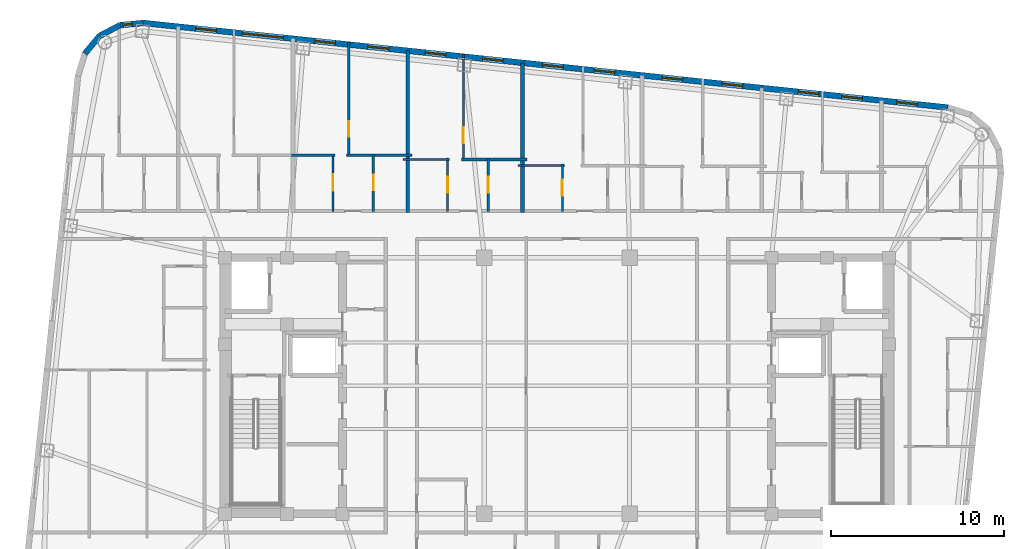
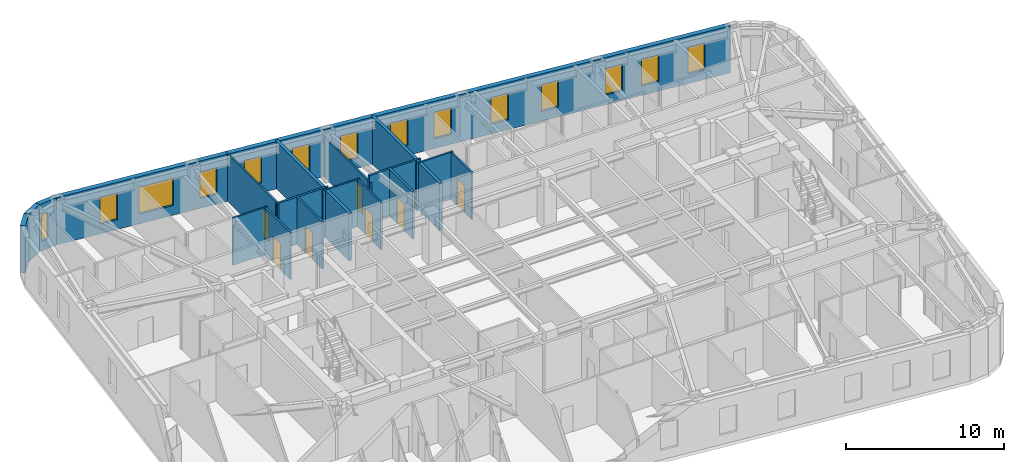
# One storey, part 8 of 11: 18 walls, 14 windows, 7 doors, 21 openings.
"""IFC4 building model written with IfcOpenShell, lengths in metres."""

from ifc_helpers import new_model, si_unit, direction, frame, frame_2d, origin, place, context, subcontext, project, spatial, rectangle, extrude, material, layer, layer_set, type_object, element, fill, save


model = new_model("IFC4")

# Units and contexts
model_context = context("Model", 3, precision=1e-05, world=origin(), true_north=direction((0.0, 1.0)))
body_context = subcontext(model_context, "Body", "Model", "MODEL_VIEW")
ifc_project = project(units=[si_unit("LENGTHUNIT", "METRE"), si_unit("AREAUNIT", "SQUARE_METRE"), si_unit("VOLUMEUNIT", "CUBIC_METRE"), si_unit("PLANEANGLEUNIT", "RADIAN"), si_unit("MASSUNIT", "GRAM", prefix="KILO")], contexts=[model_context])

# Site, building, storey
site_placement = place(None, origin())
site = spatial("IfcSite", under=ifc_project, at=site_placement, CompositionType="ELEMENT")
building_placement = place(site_placement, origin())
building = spatial("IfcBuilding", under=site, at=building_placement, Name="Voryun Gate Residences", CompositionType="ELEMENT")
storey_placement = place(building_placement, frame((0.0, 0.0, 271.699951171875)))
storey = spatial("IfcBuildingStorey", under=building, at=storey_placement, Name="L67", CompositionType="ELEMENT", Elevation=271.699951171875)

# Walls
ifc_material_1 = material(Name="Charcoal terracotta masonry", Category="masonry")
ifc_layer_1 = layer(ifc_material_1, 0.340087890625, Name="W_EXT_TERRACOTTA_340")
ifc_layer_set_1 = layer_set([ifc_layer_1], Name="Charcoal terracotta masonry")
wall_type_1 = type_object("IfcWallType", Name="W_EXT_TERRACOTTA_340", PredefinedType="ELEMENTEDWALL", material=ifc_layer_set_1)
wall_1_placement = place(storey_placement, frame((-27.29443359375, 19.19775390625, 0.0), z_axis=(0.0, 0.0, 1.0), x_axis=(0.639501603217, 0.768789762863, 0.0)))
element("IfcWall", 1, at=wall_1_placement, inside=storey, type_object=wall_type_1, Name="Exterior wall WEXT-L67-08", PredefinedType="ELEMENTEDWALL", context=body_context, shape_type="SweptSolid", body=[
    extrude(rectangle(XDim=1.3369140625, YDim=0.340087890625, at=frame_2d((0.66845703125, 0.0))), origin(), (0.0, 0.0, 1.0), 3.650146484375),
])
wall_2_placement = place(storey_placement, frame((-26.439453125, 20.2255859375, 0.0), z_axis=(0.0, 0.0, 1.0), x_axis=(0.884922182678, 0.465738908193, 0.0)))
element("IfcWall", 2, at=wall_2_placement, inside=storey, type_object=wall_type_1, Name="Exterior wall WEXT-L67-09", PredefinedType="ELEMENTEDWALL", context=body_context, shape_type="SweptSolid", body=[
    extrude(rectangle(XDim=1.337158203125, YDim=0.340087890625, at=frame_2d((0.66845703125, 0.0))), origin(), (0.0, 0.0, 1.0), 3.650146484375),
])

# Wall, opening, window
wall_3_placement = place(storey_placement, frame((-25.256103515625, 20.848388671875, 0.0), z_axis=(0.0, 0.0, 1.0), x_axis=(0.995813013343, 0.091413579172, 0.0)))
wall_3 = element("IfcWall", 3, at=wall_3_placement, inside=storey, type_object=wall_type_1, Name="Exterior wall WEXT-L67-10", PredefinedType="ELEMENTEDWALL", context=body_context, shape_type="SweptSolid", body=[
    extrude(rectangle(XDim=1.35400390625, YDim=0.340087890625, at=frame_2d((0.677001953125, 0.0))), origin(), (0.0, 0.0, 1.0), 3.650146484375),
])
opening_1_placement = place(wall_3_placement, frame((0.177001953125, 0.0, 0.75)))
opening_1 = element("IfcOpeningElement", 4, at=opening_1_placement, cuts=wall_3, Name="Opening WN10", PredefinedType="OPENING", context=body_context, shape_type="SweptSolid", body=[
    extrude(rectangle(XDim=0.52001953125, YDim=2.050048828125, at=frame_2d((0.260009765625, 1.02490234375))), frame((0.0, 0.179931640625, 0.0), z_axis=(0.0, -1.0, 0.0), x_axis=(1.0, 0.0, 0.0)), (0.0, 0.0, 1.0), 0.360107421875),
])
ifc_material_2 = material(Name="Laminated low-E glass", Category="glass")
window_type_1 = type_object("IfcWindowType", Name="WN_PAGODA_LANCET_520", PartitioningType="SINGLE_PANEL", PredefinedType="WINDOW", material=ifc_material_2)
window_1_placement = place(opening_1_placement, origin())
window_1 = element("IfcWindow", 5, at=window_1_placement, inside=storey, type_object=window_type_1, Name="Window WN-L67-DWFIX-02", OverallHeight=2.050048828125, OverallWidth=0.52001953125, PartitioningType="SINGLE_PANEL", PredefinedType="WINDOW", context=body_context, shape_type="SweptSolid", body=[
    extrude(rectangle(XDim=0.52001953125, YDim=2.050048828125, at=frame_2d((0.260009765625, 1.02490234375))), frame((0.0, 0.030029296875, 0.0), z_axis=(0.0, -1.0, 0.0), x_axis=(1.0, 0.0, 0.0)), (0.0, 0.0, 1.0), 0.06005859375),
])
fill(opening_1, window_1)

# Wall, openings, windows
wall_4_placement = place(storey_placement, frame((-23.90771484375, 20.97216796875, 0.0), z_axis=(0.0, 0.0, 1.0), x_axis=(0.994521888554, -0.104528528102, 0.0)))
wall_4 = element("IfcWall", 6, at=wall_4_placement, inside=storey, type_object=wall_type_1, Name="Exterior wall WEXT-L67-11", PredefinedType="ELEMENTEDWALL", context=body_context, shape_type="SweptSolid", body=[
    extrude(rectangle(XDim=46.766357421875, YDim=0.340087890625, at=frame_2d((23.38330078125, 0.0))), origin(), (0.0, 0.0, 1.0), 3.650146484375),
])
opening_2_placement = place(wall_4_placement, frame((5.744384765625, 0.0, 0.75)))
opening_2 = element("IfcOpeningElement", 7, at=opening_2_placement, cuts=wall_4, Name="Opening WN2", PredefinedType="OPENING", context=body_context, shape_type="SweptSolid", body=[
    extrude(rectangle(XDim=2.39990234375, YDim=2.10009765625, at=frame_2d((1.199951171875, 1.050048828125))), frame((0.0, 0.179931640625, 0.0), z_axis=(0.0, -1.0, 0.0), x_axis=(1.0, 0.0, 0.0)), (0.0, 0.0, 1.0), 0.360107421875),
])
opening_3_placement = place(wall_4_placement, frame((3.049560546875, 0.0, 0.75)))
opening_3 = element("IfcOpeningElement", 8, at=opening_3_placement, cuts=wall_4, Name="Opening WN6", PredefinedType="OPENING", context=body_context, shape_type="SweptSolid", body=[
    extrude(rectangle(XDim=1.199951171875, YDim=2.050048828125, at=frame_2d((0.60009765625, 1.02490234375))), frame((0.0, 0.179931640625, 0.0), z_axis=(0.0, -1.0, 0.0), x_axis=(1.0, 0.0, 0.0)), (0.0, 0.0, 1.0), 0.360107421875),
])
opening_4_placement = place(wall_4_placement, frame((9.95654296875, 0.0, 0.75)))
opening_4 = element("IfcOpeningElement", 9, at=opening_4_placement, cuts=wall_4, Name="Opening WN6", PredefinedType="OPENING", context=body_context, shape_type="SweptSolid", body=[
    extrude(rectangle(XDim=1.199951171875, YDim=2.050048828125, at=frame_2d((0.60009765625, 1.02490234375))), frame((0.0, 0.179931640625, 0.0), z_axis=(0.0, -1.0, 0.0), x_axis=(1.0, 0.0, 0.0)), (0.0, 0.0, 1.0), 0.360107421875),
])
opening_5_placement = place(wall_4_placement, frame((13.0498046875, 0.0, 0.75)))
opening_5 = element("IfcOpeningElement", 10, at=opening_5_placement, cuts=wall_4, Name="Opening WN6", PredefinedType="OPENING", context=body_context, shape_type="SweptSolid", body=[
    extrude(rectangle(XDim=1.199951171875, YDim=2.050048828125, at=frame_2d((0.60009765625, 1.02490234375))), frame((0.0, 0.179931640625, 0.0), z_axis=(0.0, -1.0, 0.0), x_axis=(1.0, 0.0, 0.0)), (0.0, 0.0, 1.0), 0.360107421875),
])
opening_6_placement = place(wall_4_placement, frame((16.383056640625, 0.0, 0.75)))
opening_6 = element("IfcOpeningElement", 11, at=opening_6_placement, cuts=wall_4, Name="Opening WN6", PredefinedType="OPENING", context=body_context, shape_type="SweptSolid", body=[
    extrude(rectangle(XDim=1.199951171875, YDim=2.050048828125, at=frame_2d((0.60009765625, 1.02490234375))), frame((0.0, 0.179931640625, 0.0), z_axis=(0.0, -1.0, 0.0), x_axis=(1.0, 0.0, 0.0)), (0.0, 0.0, 1.0), 0.360107421875),
])
opening_7_placement = place(wall_4_placement, frame((19.71630859375, 0.0, 0.75)))
opening_7 = element("IfcOpeningElement", 12, at=opening_7_placement, cuts=wall_4, Name="Opening WN6", PredefinedType="OPENING", context=body_context, shape_type="SweptSolid", body=[
    extrude(rectangle(XDim=1.199951171875, YDim=2.050048828125, at=frame_2d((0.60009765625, 1.02490234375))), frame((0.0, 0.179931640625, 0.0), z_axis=(0.0, -1.0, 0.0), x_axis=(1.0, 0.0, 0.0)), (0.0, 0.0, 1.0), 0.360107421875),
])
opening_8_placement = place(wall_4_placement, frame((23.19482421875, 0.0, 0.75)))
opening_8 = element("IfcOpeningElement", 13, at=opening_8_placement, cuts=wall_4, Name="Opening WN6", PredefinedType="OPENING", context=body_context, shape_type="SweptSolid", body=[
    extrude(rectangle(XDim=1.199951171875, YDim=2.050048828125, at=frame_2d((0.60009765625, 1.02490234375))), frame((0.0, 0.179931640625, 0.0), z_axis=(0.0, -1.0, 0.0), x_axis=(1.0, 0.0, 0.0)), (0.0, 0.0, 1.0), 0.360107421875),
])
opening_9_placement = place(wall_4_placement, frame((26.193603515625, 0.0, 0.75)))
opening_9 = element("IfcOpeningElement", 14, at=opening_9_placement, cuts=wall_4, Name="Opening WN6", PredefinedType="OPENING", context=body_context, shape_type="SweptSolid", body=[
    extrude(rectangle(XDim=1.199951171875, YDim=2.050048828125, at=frame_2d((0.60009765625, 1.02490234375))), frame((0.0, 0.179931640625, 0.0), z_axis=(0.0, -1.0, 0.0), x_axis=(1.0, 0.0, 0.0)), (0.0, 0.0, 1.0), 0.360107421875),
])
opening_10_placement = place(wall_4_placement, frame((30.152099609375, 0.0, 0.75)))
opening_10 = element("IfcOpeningElement", 15, at=opening_10_placement, cuts=wall_4, Name="Opening WN6", PredefinedType="OPENING", context=body_context, shape_type="SweptSolid", body=[
    extrude(rectangle(XDim=1.199951171875, YDim=2.050048828125, at=frame_2d((0.60009765625, 1.02490234375))), frame((0.0, 0.179931640625, 0.0), z_axis=(0.0, -1.0, 0.0), x_axis=(1.0, 0.0, 0.0)), (0.0, 0.0, 1.0), 0.360107421875),
])
opening_11_placement = place(wall_4_placement, frame((33.630615234375, 0.0, 0.75)))
opening_11 = element("IfcOpeningElement", 16, at=opening_11_placement, cuts=wall_4, Name="Opening WN6", PredefinedType="OPENING", context=body_context, shape_type="SweptSolid", body=[
    extrude(rectangle(XDim=1.199951171875, YDim=2.050048828125, at=frame_2d((0.60009765625, 1.02490234375))), frame((0.0, 0.179931640625, 0.0), z_axis=(0.0, -1.0, 0.0), x_axis=(1.0, 0.0, 0.0)), (0.0, 0.0, 1.0), 0.360107421875),
])
opening_12_placement = place(wall_4_placement, frame((38.069580078125, 0.0, 0.75)))
opening_12 = element("IfcOpeningElement", 17, at=opening_12_placement, cuts=wall_4, Name="Opening WN6", PredefinedType="OPENING", context=body_context, shape_type="SweptSolid", body=[
    extrude(rectangle(XDim=1.199951171875, YDim=2.050048828125, at=frame_2d((0.60009765625, 1.02490234375))), frame((0.0, 0.179931640625, 0.0), z_axis=(0.0, -1.0, 0.0), x_axis=(1.0, 0.0, 0.0)), (0.0, 0.0, 1.0), 0.360107421875),
])
opening_13_placement = place(wall_4_placement, frame((40.588623046875, 0.0, 0.75)))
opening_13 = element("IfcOpeningElement", 18, at=opening_13_placement, cuts=wall_4, Name="Opening WN6", PredefinedType="OPENING", context=body_context, shape_type="SweptSolid", body=[
    extrude(rectangle(XDim=1.199951171875, YDim=2.050048828125, at=frame_2d((0.60009765625, 1.02490234375))), frame((0.0, 0.179931640625, 0.0), z_axis=(0.0, -1.0, 0.0), x_axis=(1.0, 0.0, 0.0)), (0.0, 0.0, 1.0), 0.360107421875),
])
opening_14_placement = place(wall_4_placement, frame((43.78857421875, 0.0, 0.75)))
opening_14 = element("IfcOpeningElement", 19, at=opening_14_placement, cuts=wall_4, Name="Opening WN6", PredefinedType="OPENING", context=body_context, shape_type="SweptSolid", body=[
    extrude(rectangle(XDim=1.199951171875, YDim=2.050048828125, at=frame_2d((0.60009765625, 1.02490234375))), frame((0.0, 0.179931640625, 0.0), z_axis=(0.0, -1.0, 0.0), x_axis=(1.0, 0.0, 0.0)), (0.0, 0.0, 1.0), 0.360107421875),
])
ifc_material_3 = material(Name="Laminated low-E glass", Category="glass")
window_type_2 = type_object("IfcWindowType", Name="WN_POD_SLOT_1200", PartitioningType="SINGLE_PANEL", PredefinedType="WINDOW", material=ifc_material_3)
window_2_placement = place(opening_3_placement, origin())
window_2 = element("IfcWindow", 20, at=window_2_placement, inside=storey, type_object=window_type_2, Name="Window WN-L67-DWFIX-03", OverallHeight=2.050048828125, OverallWidth=1.199951171875, PartitioningType="SINGLE_PANEL", PredefinedType="WINDOW", context=body_context, shape_type="SweptSolid", body=[
    extrude(rectangle(XDim=1.199951171875, YDim=2.050048828125, at=frame_2d((0.60009765625, 1.02490234375))), frame((0.0, 0.030029296875, 0.0), z_axis=(0.0, -1.0, 0.0), x_axis=(1.0, 0.0, 0.0)), (0.0, 0.0, 1.0), 0.06005859375),
])
fill(opening_3, window_2)
window_3_placement = place(opening_4_placement, origin())
window_3 = element("IfcWindow", 21, at=window_3_placement, inside=storey, type_object=window_type_2, Name="Window WN-L67-DWFIX-04", OverallHeight=2.050048828125, OverallWidth=1.199951171875, PartitioningType="SINGLE_PANEL", PredefinedType="WINDOW", context=body_context, shape_type="SweptSolid", body=[
    extrude(rectangle(XDim=1.199951171875, YDim=2.050048828125, at=frame_2d((0.60009765625, 1.02490234375))), frame((0.0, 0.030029296875, 0.0), z_axis=(0.0, -1.0, 0.0), x_axis=(1.0, 0.0, 0.0)), (0.0, 0.0, 1.0), 0.06005859375),
])
fill(opening_4, window_3)
window_4_placement = place(opening_5_placement, origin())
window_4 = element("IfcWindow", 22, at=window_4_placement, inside=storey, type_object=window_type_2, Name="Window WN-L67-DWFIX-05", OverallHeight=2.050048828125, OverallWidth=1.199951171875, PartitioningType="SINGLE_PANEL", PredefinedType="WINDOW", context=body_context, shape_type="SweptSolid", body=[
    extrude(rectangle(XDim=1.199951171875, YDim=2.050048828125, at=frame_2d((0.60009765625, 1.02490234375))), frame((0.0, 0.030029296875, 0.0), z_axis=(0.0, -1.0, 0.0), x_axis=(1.0, 0.0, 0.0)), (0.0, 0.0, 1.0), 0.06005859375),
])
fill(opening_5, window_4)
window_5_placement = place(opening_6_placement, origin())
window_5 = element("IfcWindow", 23, at=window_5_placement, inside=storey, type_object=window_type_2, Name="Window WN-L67-DWFIX-06", OverallHeight=2.050048828125, OverallWidth=1.199951171875, PartitioningType="SINGLE_PANEL", PredefinedType="WINDOW", context=body_context, shape_type="SweptSolid", body=[
    extrude(rectangle(XDim=1.199951171875, YDim=2.050048828125, at=frame_2d((0.60009765625, 1.02490234375))), frame((0.0, 0.030029296875, 0.0), z_axis=(0.0, -1.0, 0.0), x_axis=(1.0, 0.0, 0.0)), (0.0, 0.0, 1.0), 0.06005859375),
])
fill(opening_6, window_5)
window_6_placement = place(opening_7_placement, origin())
window_6 = element("IfcWindow", 24, at=window_6_placement, inside=storey, type_object=window_type_2, Name="Window WN-L67-DWFIX-07", OverallHeight=2.050048828125, OverallWidth=1.199951171875, PartitioningType="SINGLE_PANEL", PredefinedType="WINDOW", context=body_context, shape_type="SweptSolid", body=[
    extrude(rectangle(XDim=1.199951171875, YDim=2.050048828125, at=frame_2d((0.60009765625, 1.02490234375))), frame((0.0, 0.030029296875, 0.0), z_axis=(0.0, -1.0, 0.0), x_axis=(1.0, 0.0, 0.0)), (0.0, 0.0, 1.0), 0.06005859375),
])
fill(opening_7, window_6)
window_7_placement = place(opening_8_placement, origin())
window_7 = element("IfcWindow", 25, at=window_7_placement, inside=storey, type_object=window_type_2, Name="Window WN-L67-DWFIX-08", OverallHeight=2.050048828125, OverallWidth=1.199951171875, PartitioningType="SINGLE_PANEL", PredefinedType="WINDOW", context=body_context, shape_type="SweptSolid", body=[
    extrude(rectangle(XDim=1.199951171875, YDim=2.050048828125, at=frame_2d((0.60009765625, 1.02490234375))), frame((0.0, 0.030029296875, 0.0), z_axis=(0.0, -1.0, 0.0), x_axis=(1.0, 0.0, 0.0)), (0.0, 0.0, 1.0), 0.06005859375),
])
fill(opening_8, window_7)
window_8_placement = place(opening_9_placement, origin())
window_8 = element("IfcWindow", 26, at=window_8_placement, inside=storey, type_object=window_type_2, Name="Window WN-L67-DWFIX-09", OverallHeight=2.050048828125, OverallWidth=1.199951171875, PartitioningType="SINGLE_PANEL", PredefinedType="WINDOW", context=body_context, shape_type="SweptSolid", body=[
    extrude(rectangle(XDim=1.199951171875, YDim=2.050048828125, at=frame_2d((0.60009765625, 1.02490234375))), frame((0.0, 0.030029296875, 0.0), z_axis=(0.0, -1.0, 0.0), x_axis=(1.0, 0.0, 0.0)), (0.0, 0.0, 1.0), 0.06005859375),
])
fill(opening_9, window_8)
window_9_placement = place(opening_10_placement, origin())
window_9 = element("IfcWindow", 27, at=window_9_placement, inside=storey, type_object=window_type_2, Name="Window WN-L67-DWFIX-10", OverallHeight=2.050048828125, OverallWidth=1.199951171875, PartitioningType="SINGLE_PANEL", PredefinedType="WINDOW", context=body_context, shape_type="SweptSolid", body=[
    extrude(rectangle(XDim=1.199951171875, YDim=2.050048828125, at=frame_2d((0.60009765625, 1.02490234375))), frame((0.0, 0.030029296875, 0.0), z_axis=(0.0, -1.0, 0.0), x_axis=(1.0, 0.0, 0.0)), (0.0, 0.0, 1.0), 0.06005859375),
])
fill(opening_10, window_9)
window_10_placement = place(opening_11_placement, origin())
window_10 = element("IfcWindow", 28, at=window_10_placement, inside=storey, type_object=window_type_2, Name="Window WN-L67-DWFIX-11", OverallHeight=2.050048828125, OverallWidth=1.199951171875, PartitioningType="SINGLE_PANEL", PredefinedType="WINDOW", context=body_context, shape_type="SweptSolid", body=[
    extrude(rectangle(XDim=1.199951171875, YDim=2.050048828125, at=frame_2d((0.60009765625, 1.02490234375))), frame((0.0, 0.030029296875, 0.0), z_axis=(0.0, -1.0, 0.0), x_axis=(1.0, 0.0, 0.0)), (0.0, 0.0, 1.0), 0.06005859375),
])
fill(opening_11, window_10)
window_11_placement = place(opening_12_placement, origin())
window_11 = element("IfcWindow", 29, at=window_11_placement, inside=storey, type_object=window_type_2, Name="Window WN-L67-DWFIX-12", OverallHeight=2.050048828125, OverallWidth=1.199951171875, PartitioningType="SINGLE_PANEL", PredefinedType="WINDOW", context=body_context, shape_type="SweptSolid", body=[
    extrude(rectangle(XDim=1.199951171875, YDim=2.050048828125, at=frame_2d((0.60009765625, 1.02490234375))), frame((0.0, 0.030029296875, 0.0), z_axis=(0.0, -1.0, 0.0), x_axis=(1.0, 0.0, 0.0)), (0.0, 0.0, 1.0), 0.06005859375),
])
fill(opening_12, window_11)
window_12_placement = place(opening_13_placement, origin())
window_12 = element("IfcWindow", 30, at=window_12_placement, inside=storey, type_object=window_type_2, Name="Window WN-L67-DWFIX-13", OverallHeight=2.050048828125, OverallWidth=1.199951171875, PartitioningType="SINGLE_PANEL", PredefinedType="WINDOW", context=body_context, shape_type="SweptSolid", body=[
    extrude(rectangle(XDim=1.199951171875, YDim=2.050048828125, at=frame_2d((0.60009765625, 1.02490234375))), frame((0.0, 0.030029296875, 0.0), z_axis=(0.0, -1.0, 0.0), x_axis=(1.0, 0.0, 0.0)), (0.0, 0.0, 1.0), 0.06005859375),
])
fill(opening_13, window_12)
window_13_placement = place(opening_14_placement, origin())
window_13 = element("IfcWindow", 31, at=window_13_placement, inside=storey, type_object=window_type_2, Name="Window WN-L67-DWFIX-14", OverallHeight=2.050048828125, OverallWidth=1.199951171875, PartitioningType="SINGLE_PANEL", PredefinedType="WINDOW", context=body_context, shape_type="SweptSolid", body=[
    extrude(rectangle(XDim=1.199951171875, YDim=2.050048828125, at=frame_2d((0.60009765625, 1.02490234375))), frame((0.0, 0.030029296875, 0.0), z_axis=(0.0, -1.0, 0.0), x_axis=(1.0, 0.0, 0.0)), (0.0, 0.0, 1.0), 0.06005859375),
])
fill(opening_14, window_13)
ifc_material_4 = material(Name="Laminated low-E glass", Category="glass")
window_type_3 = type_object("IfcWindowType", Name="WN_RES_WIDE_2400", PartitioningType="SINGLE_PANEL", PredefinedType="WINDOW", material=ifc_material_4)
window_14_placement = place(opening_2_placement, origin())
window_14 = element("IfcWindow", 32, at=window_14_placement, inside=storey, type_object=window_type_3, Name="Window WN-WEXT-L67-11-01", OverallHeight=2.10009765625, OverallWidth=2.39990234375, PartitioningType="SINGLE_PANEL", PredefinedType="WINDOW", context=body_context, shape_type="SweptSolid", body=[
    extrude(rectangle(XDim=2.39990234375, YDim=2.10009765625, at=frame_2d((1.199951171875, 1.050048828125))), frame((0.0, 0.030029296875, 0.0), z_axis=(0.0, -1.0, 0.0), x_axis=(1.0, 0.0, 0.0)), (0.0, 0.0, 1.0), 0.06005859375),
])
fill(opening_2, window_14)

# Walls
ifc_material_5 = material(Name="Concrete C40/50", Category="concrete")
ifc_layer_2 = layer(ifc_material_5, 0.219970703125, Name="W_PARTY_ACOUSTIC_220")
ifc_layer_set_2 = layer_set([ifc_layer_2], Name="Concrete C40/50")
wall_type_2 = type_object("IfcWallType", Name="W_PARTY_ACOUSTIC_220", PredefinedType="PARTITIONING", material=ifc_layer_set_2)
wall_5_placement = place(storey_placement, frame((-8.6298828125, 10.02001953125, 0.0), z_axis=(0.0, 0.0, 1.0), x_axis=(0.0, 1.0, 0.0)))
element("IfcWall", 33, at=wall_5_placement, inside=storey, type_object=wall_type_2, Name="Partition wall WP-L67-NPTY-3", PredefinedType="PARTITIONING", context=body_context, shape_type="SweptSolid", body=[
    extrude(rectangle(XDim=9.346435546875, YDim=0.219970703125, at=frame_2d((4.67333984375, 0.0))), origin(), (0.0, 0.0, 1.0), 3.650146484375),
])
wall_6_placement = place(storey_placement, frame((-2.0, 10.02001953125, 0.0), z_axis=(0.0, 0.0, 1.0), x_axis=(0.0, 1.0, 0.0)))
element("IfcWall", 34, at=wall_6_placement, inside=storey, type_object=wall_type_2, Name="Partition wall WP-L67-NPTY-4", PredefinedType="PARTITIONING", context=body_context, shape_type="SweptSolid", body=[
    extrude(rectangle(XDim=8.649658203125, YDim=0.219970703125, at=frame_2d((4.32470703125, 0.0))), origin(), (0.0, 0.0, 1.0), 3.650146484375),
])

# Wall, opening, door
ifc_material_6 = material(Name="Gypsum acoustic partition")
ifc_layer_3 = layer(ifc_material_6, 0.125, Name="W_UNIT_PART_125")
ifc_layer_set_3 = layer_set([ifc_layer_3], Name="Gypsum acoustic partition")
wall_type_3 = type_object("IfcWallType", Name="W_UNIT_PART_125", PredefinedType="PARTITIONING", material=ifc_layer_set_3)
wall_7_placement = place(storey_placement, frame((-12.0400390625, 13.239990234375, 0.0), z_axis=(0.0, 0.0, 1.0), x_axis=(0.0, 1.0, 0.0)))
wall_7 = element("IfcWall", 35, at=wall_7_placement, inside=storey, type_object=wall_type_3, Name="Partition wall WP-L67-N3-OVR", PredefinedType="PARTITIONING", context=body_context, shape_type="SweptSolid", body=[
    extrude(rectangle(XDim=6.635498046875, YDim=0.125, at=frame_2d((3.31787109375, 0.0))), origin(), (0.0, 0.0, 1.0), 3.650146484375),
])
opening_15_placement = place(wall_7_placement, frame((1.142578125, 0.0, 0.0)))
opening_15 = element("IfcOpeningElement", 36, at=opening_15_placement, cuts=wall_7, Name="Opening D-INT-2", PredefinedType="OPENING", context=body_context, shape_type="SweptSolid", body=[
    extrude(rectangle(XDim=0.89990234375, YDim=2.050048828125, at=frame_2d((0.449951171875, 1.02490234375))), frame((0.0, 0.072509765625, 0.0), z_axis=(0.0, -1.0, 0.0), x_axis=(1.0, 0.0, 0.0)), (0.0, 0.0, 1.0), 0.14501953125),
])
ifc_material_7 = material(Name="Architectural oak veneer")
door_type_1 = type_object("IfcDoorType", Name="DR_INT_BATH_900", OperationType="NOTDEFINED", PredefinedType="DOOR", material=ifc_material_7)
door_1_placement = place(opening_15_placement, origin())
door_1 = element("IfcDoor", 37, at=door_1_placement, inside=storey, type_object=door_type_1, Name="Door DR-L67-N3-DMB", OperationType="SINGLE_SWING_RIGHT", OverallHeight=2.050048828125, OverallWidth=0.89990234375, PredefinedType="DOOR", context=body_context, shape_type="SweptSolid", body=[
    extrude(rectangle(XDim=0.89990234375, YDim=2.050048828125, at=frame_2d((0.449951171875, 1.02490234375))), frame((0.0, 0.02490234375, 0.0), z_axis=(0.0, -1.0, 0.0), x_axis=(1.0, 0.0, 0.0)), (0.0, 0.0, 1.0), 0.050048828125),
])
fill(opening_15, door_1)

wall_8_placement = place(storey_placement, frame((-12.949951171875, 10.080078125, 0.0), z_axis=(0.0, 0.0, 1.0), x_axis=(0.0, 1.0, 0.0)))
wall_8 = element("IfcWall", 38, at=wall_8_placement, inside=storey, type_object=wall_type_3, Name="Partition wall WP-L67-N3-IVK", PredefinedType="PARTITIONING", context=body_context, shape_type="SweptSolid", body=[
    extrude(rectangle(XDim=3.31982421875, YDim=0.125, at=frame_2d((1.659912109375, 0.0))), origin(), (0.0, 0.0, 1.0), 3.650146484375),
])
opening_16_placement = place(wall_8_placement, frame((1.18505859375, 0.0, 0.0)))
opening_16 = element("IfcOpeningElement", 39, at=opening_16_placement, cuts=wall_8, Name="Opening D-INT-1", PredefinedType="OPENING", context=body_context, shape_type="SweptSolid", body=[
    extrude(rectangle(XDim=0.949951171875, YDim=2.050048828125, at=frame_2d((0.47509765625, 1.02490234375))), frame((0.0, 0.072509765625, 0.0), z_axis=(0.0, -1.0, 0.0), x_axis=(1.0, 0.0, 0.0)), (0.0, 0.0, 1.0), 0.14501953125),
])
ifc_material_8 = material(Name="Architectural oak veneer")
door_type_2 = type_object("IfcDoorType", Name="DR_INT_ROOM_950", OperationType="NOTDEFINED", PredefinedType="DOOR", material=ifc_material_8)
door_2_placement = place(opening_16_placement, origin())
door_2 = element("IfcDoor", 40, at=door_2_placement, inside=storey, type_object=door_type_2, Name="Door DR-L67-N3-DK", OperationType="SINGLE_SWING_LEFT", OverallHeight=2.050048828125, OverallWidth=0.949951171875, PredefinedType="DOOR", context=body_context, shape_type="SweptSolid", body=[
    extrude(rectangle(XDim=0.949951171875, YDim=2.050048828125, at=frame_2d((0.47509765625, 1.02490234375))), frame((0.0, 0.02490234375, 0.0), z_axis=(0.0, -1.0, 0.0), x_axis=(1.0, 0.0, 0.0)), (0.0, 0.0, 1.0), 0.050048828125),
])
fill(opening_16, door_2)

# Wall
wall_9_placement = place(storey_placement, frame((-15.3349609375, 13.320068359375, 0.0), z_axis=(0.0, 0.0, 1.0), x_axis=(1.0, 0.0, 0.0)))
element("IfcWall", 41, at=wall_9_placement, inside=storey, type_object=wall_type_3, Name="Partition wall WP-L67-N3-HZK", PredefinedType="PARTITIONING", context=body_context, shape_type="SweptSolid", body=[
    extrude(rectangle(XDim=2.5048828125, YDim=0.125, at=frame_2d((1.25244140625, 0.0))), origin(), (0.0, 0.0, 1.0), 3.650146484375),
])

# Wall, opening, door
wall_10_placement = place(storey_placement, frame((-5.409912109375, 12.9990234375, 0.0), z_axis=(0.0, 0.0, 1.0), x_axis=(0.0, 1.0, 0.0)))
wall_10 = element("IfcWall", 42, at=wall_10_placement, inside=storey, type_object=wall_type_3, Name="Partition wall WP-L67-N4-OVR", PredefinedType="PARTITIONING", context=body_context, shape_type="SweptSolid", body=[
    extrude(rectangle(XDim=6.1796875, YDim=0.125, at=frame_2d((3.08984375, 0.0))), origin(), (0.0, 0.0, 1.0), 3.090087890625),
])
opening_17_placement = place(wall_10_placement, frame((1.033203125, 0.0, 0.0)))
opening_17 = element("IfcOpeningElement", 43, at=opening_17_placement, cuts=wall_10, Name="Opening D-INT-2", PredefinedType="OPENING", context=body_context, shape_type="SweptSolid", body=[
    extrude(rectangle(XDim=0.89990234375, YDim=2.050048828125, at=frame_2d((0.449951171875, 1.02490234375))), frame((0.0, 0.072509765625, 0.0), z_axis=(0.0, -1.0, 0.0), x_axis=(1.0, 0.0, 0.0)), (0.0, 0.0, 1.0), 0.14501953125),
])
door_3_placement = place(opening_17_placement, origin())
door_3 = element("IfcDoor", 44, at=door_3_placement, inside=storey, type_object=door_type_1, Name="Door DR-L67-N4-DMB", OperationType="SINGLE_SWING_RIGHT", OverallHeight=2.050048828125, OverallWidth=0.89990234375, PredefinedType="DOOR", context=body_context, shape_type="SweptSolid", body=[
    extrude(rectangle(XDim=0.89990234375, YDim=2.050048828125, at=frame_2d((0.449951171875, 1.02490234375))), frame((0.0, 0.02490234375, 0.0), z_axis=(0.0, -1.0, 0.0), x_axis=(1.0, 0.0, 0.0)), (0.0, 0.0, 1.0), 0.050048828125),
])
fill(opening_17, door_3)

wall_11_placement = place(storey_placement, frame((-6.320068359375, 10.080078125, 0.0), z_axis=(0.0, 0.0, 1.0), x_axis=(0.0, 1.0, 0.0)))
wall_11 = element("IfcWall", 45, at=wall_11_placement, inside=storey, type_object=wall_type_3, Name="Partition wall WP-L67-N4-IVK", PredefinedType="PARTITIONING", context=body_context, shape_type="SweptSolid", body=[
    extrude(rectangle(XDim=3.078857421875, YDim=0.125, at=frame_2d((1.53955078125, 0.0))), origin(), (0.0, 0.0, 1.0), 3.650146484375),
])
opening_18_placement = place(wall_11_placement, frame((1.064453125, 0.0, 0.0)))
opening_18 = element("IfcOpeningElement", 46, at=opening_18_placement, cuts=wall_11, Name="Opening D-INT-1", PredefinedType="OPENING", context=body_context, shape_type="SweptSolid", body=[
    extrude(rectangle(XDim=0.949951171875, YDim=2.050048828125, at=frame_2d((0.47509765625, 1.02490234375))), frame((0.0, 0.072509765625, 0.0), z_axis=(0.0, -1.0, 0.0), x_axis=(1.0, 0.0, 0.0)), (0.0, 0.0, 1.0), 0.14501953125),
])
door_4_placement = place(opening_18_placement, origin())
door_4 = element("IfcDoor", 47, at=door_4_placement, inside=storey, type_object=door_type_2, Name="Door DR-L67-N4-DK", OperationType="SINGLE_SWING_LEFT", OverallHeight=2.050048828125, OverallWidth=0.949951171875, PredefinedType="DOOR", context=body_context, shape_type="SweptSolid", body=[
    extrude(rectangle(XDim=0.949951171875, YDim=2.050048828125, at=frame_2d((0.47509765625, 1.02490234375))), frame((0.0, 0.02490234375, 0.0), z_axis=(0.0, -1.0, 0.0), x_axis=(1.0, 0.0, 0.0)), (0.0, 0.0, 1.0), 0.050048828125),
])
fill(opening_18, door_4)

# Wall
wall_12_placement = place(storey_placement, frame((-8.889892578125, 13.0791015625, 0.0), z_axis=(0.0, 0.0, 1.0), x_axis=(1.0, 0.0, 0.0)))
element("IfcWall", 48, at=wall_12_placement, inside=storey, type_object=wall_type_3, Name="Partition wall WP-L67-N4-HZK", PredefinedType="PARTITIONING", context=body_context, shape_type="SweptSolid", body=[
    extrude(rectangle(XDim=2.68994140625, YDim=0.125, at=frame_2d((1.344970703125, 0.0))), origin(), (0.0, 0.0, 1.0), 3.650146484375),
])

# Wall, opening, door
wall_13_placement = place(storey_placement, frame((0.31005859375, 10.080078125, 0.0), z_axis=(0.0, 0.0, 1.0), x_axis=(0.0, 1.0, 0.0)))
wall_13 = element("IfcWall", 49, at=wall_13_placement, inside=storey, type_object=wall_type_3, Name="Partition wall WP-L67-N5-IVK", PredefinedType="PARTITIONING", context=body_context, shape_type="SweptSolid", body=[
    extrude(rectangle(XDim=2.72802734375, YDim=0.125, at=frame_2d((1.364013671875, 0.0))), origin(), (0.0, 0.0, 1.0), 3.650146484375),
])
opening_19_placement = place(wall_13_placement, frame((0.888916015625, 0.0, 0.0)))
opening_19 = element("IfcOpeningElement", 50, at=opening_19_placement, cuts=wall_13, Name="Opening D-INT-1", PredefinedType="OPENING", context=body_context, shape_type="SweptSolid", body=[
    extrude(rectangle(XDim=0.949951171875, YDim=2.050048828125, at=frame_2d((0.47509765625, 1.02490234375))), frame((0.0, 0.072509765625, 0.0), z_axis=(0.0, -1.0, 0.0), x_axis=(1.0, 0.0, 0.0)), (0.0, 0.0, 1.0), 0.14501953125),
])
door_5_placement = place(opening_19_placement, origin())
door_5 = element("IfcDoor", 51, at=door_5_placement, inside=storey, type_object=door_type_2, Name="Door DR-L67-N5-DK", OperationType="SINGLE_SWING_LEFT", OverallHeight=2.050048828125, OverallWidth=0.949951171875, PredefinedType="DOOR", context=body_context, shape_type="SweptSolid", body=[
    extrude(rectangle(XDim=0.949951171875, YDim=2.050048828125, at=frame_2d((0.47509765625, 1.02490234375))), frame((0.0, 0.02490234375, 0.0), z_axis=(0.0, -1.0, 0.0), x_axis=(1.0, 0.0, 0.0)), (0.0, 0.0, 1.0), 0.050048828125),
])
fill(opening_19, door_5)

# Walls
wall_14_placement = place(storey_placement, frame((-2.260009765625, 12.72802734375, 0.0), z_axis=(0.0, 0.0, 1.0), x_axis=(1.0, 0.0, 0.0)))
element("IfcWall", 52, at=wall_14_placement, inside=storey, type_object=wall_type_3, Name="Partition wall WP-L67-N5-HZK", PredefinedType="PARTITIONING", context=body_context, shape_type="SweptSolid", body=[
    extrude(rectangle(XDim=2.68994140625, YDim=0.125, at=frame_2d((1.344970703125, 0.0))), origin(), (0.0, 0.0, 1.0), 3.650146484375),
])
ifc_material_9 = material(Name="Gypsum moisture-resistant partition")
ifc_layer_4 = layer(ifc_material_9, 0.14990234375, Name="W_WET_PLUMB_150")
ifc_layer_set_4 = layer_set([ifc_layer_4], Name="Gypsum moisture-resistant partition")
wall_type_4 = type_object("IfcWallType", Name="W_WET_PLUMB_150", PredefinedType="PLUMBINGWALL", material=ifc_layer_set_4)
wall_15_placement = place(storey_placement, frame((-12.159912109375, 13.320068359375, 0.0), z_axis=(0.0, 0.0, 1.0), x_axis=(1.0, 0.0, 0.0)))
element("IfcWall", 53, at=wall_15_placement, inside=storey, type_object=wall_type_4, Name="Partition wall WP-L67-N3-HZB", PredefinedType="PLUMBINGWALL", context=body_context, shape_type="SweptSolid", body=[
    extrude(rectangle(XDim=3.789794921875, YDim=0.14990234375, at=frame_2d((1.89501953125, 0.0))), origin(), (0.0, 0.0, 1.0), 3.650146484375),
])

# Wall, opening, door
wall_16_placement = place(storey_placement, frame((-10.610107421875, 10.080078125, 0.0), z_axis=(0.0, 0.0, 1.0), x_axis=(0.0, 1.0, 0.0)))
wall_16 = element("IfcWall", 54, at=wall_16_placement, inside=storey, type_object=wall_type_4, Name="Partition wall WP-L67-N3-IVB", PredefinedType="PLUMBINGWALL", context=body_context, shape_type="SweptSolid", body=[
    extrude(rectangle(XDim=3.31982421875, YDim=0.14990234375, at=frame_2d((1.659912109375, 0.0))), origin(), (0.0, 0.0, 1.0), 3.650146484375),
])
opening_20_placement = place(wall_16_placement, frame((1.2099609375, 0.0, 0.0)))
opening_20 = element("IfcOpeningElement", 55, at=opening_20_placement, cuts=wall_16, Name="Opening D-INT-2", PredefinedType="OPENING", context=body_context, shape_type="SweptSolid", body=[
    extrude(rectangle(XDim=0.89990234375, YDim=2.050048828125, at=frame_2d((0.449951171875, 1.02490234375))), frame((0.0, 0.0849609375, 0.0), z_axis=(0.0, -1.0, 0.0), x_axis=(1.0, 0.0, 0.0)), (0.0, 0.0, 1.0), 0.169921875),
])
door_6_placement = place(opening_20_placement, origin())
door_6 = element("IfcDoor", 56, at=door_6_placement, inside=storey, type_object=door_type_1, Name="Door DR-L67-N3-DB", OperationType="SINGLE_SWING_RIGHT", OverallHeight=2.050048828125, OverallWidth=0.89990234375, PredefinedType="DOOR", context=body_context, shape_type="SweptSolid", body=[
    extrude(rectangle(XDim=0.89990234375, YDim=2.050048828125, at=frame_2d((0.449951171875, 1.02490234375))), frame((0.0, 0.02490234375, 0.0), z_axis=(0.0, -1.0, 0.0), x_axis=(1.0, 0.0, 0.0)), (0.0, 0.0, 1.0), 0.050048828125),
])
fill(opening_20, door_6)

# Wall
wall_17_placement = place(storey_placement, frame((-5.530029296875, 13.0791015625, 0.0), z_axis=(0.0, 0.0, 1.0), x_axis=(1.0, 0.0, 0.0)))
element("IfcWall", 57, at=wall_17_placement, inside=storey, type_object=wall_type_4, Name="Partition wall WP-L67-N4-HZB", PredefinedType="PLUMBINGWALL", context=body_context, shape_type="SweptSolid", body=[
    extrude(rectangle(XDim=3.7900390625, YDim=0.14990234375, at=frame_2d((1.89501953125, 0.0))), origin(), (0.0, 0.0, 1.0), 3.650146484375),
])

# Wall, opening, door
wall_18_placement = place(storey_placement, frame((-3.97998046875, 10.080078125, 0.0), z_axis=(0.0, 0.0, 1.0), x_axis=(0.0, 1.0, 0.0)))
wall_18 = element("IfcWall", 58, at=wall_18_placement, inside=storey, type_object=wall_type_4, Name="Partition wall WP-L67-N4-IVB", PredefinedType="PLUMBINGWALL", context=body_context, shape_type="SweptSolid", body=[
    extrude(rectangle(XDim=3.078857421875, YDim=0.14990234375, at=frame_2d((1.53955078125, 0.0))), origin(), (0.0, 0.0, 1.0), 3.650146484375),
])
opening_21_placement = place(wall_18_placement, frame((1.089599609375, 0.0, 0.0)))
opening_21 = element("IfcOpeningElement", 59, at=opening_21_placement, cuts=wall_18, Name="Opening D-INT-2", PredefinedType="OPENING", context=body_context, shape_type="SweptSolid", body=[
    extrude(rectangle(XDim=0.89990234375, YDim=2.050048828125, at=frame_2d((0.449951171875, 1.02490234375))), frame((0.0, 0.0849609375, 0.0), z_axis=(0.0, -1.0, 0.0), x_axis=(1.0, 0.0, 0.0)), (0.0, 0.0, 1.0), 0.169921875),
])
door_7_placement = place(opening_21_placement, origin())
door_7 = element("IfcDoor", 60, at=door_7_placement, inside=storey, type_object=door_type_1, Name="Door DR-L67-N4-DB", OperationType="SINGLE_SWING_RIGHT", OverallHeight=2.050048828125, OverallWidth=0.89990234375, PredefinedType="DOOR", context=body_context, shape_type="SweptSolid", body=[
    extrude(rectangle(XDim=0.89990234375, YDim=2.050048828125, at=frame_2d((0.449951171875, 1.02490234375))), frame((0.0, 0.02490234375, 0.0), z_axis=(0.0, -1.0, 0.0), x_axis=(1.0, 0.0, 0.0)), (0.0, 0.0, 1.0), 0.050048828125),
])
fill(opening_21, door_7)

save(model, "model.ifc")
